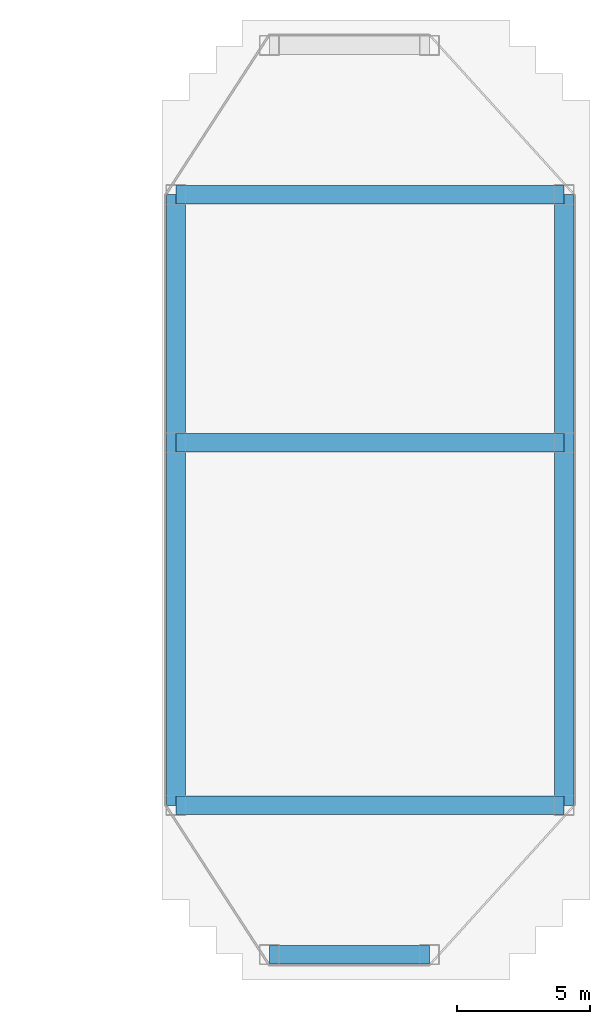
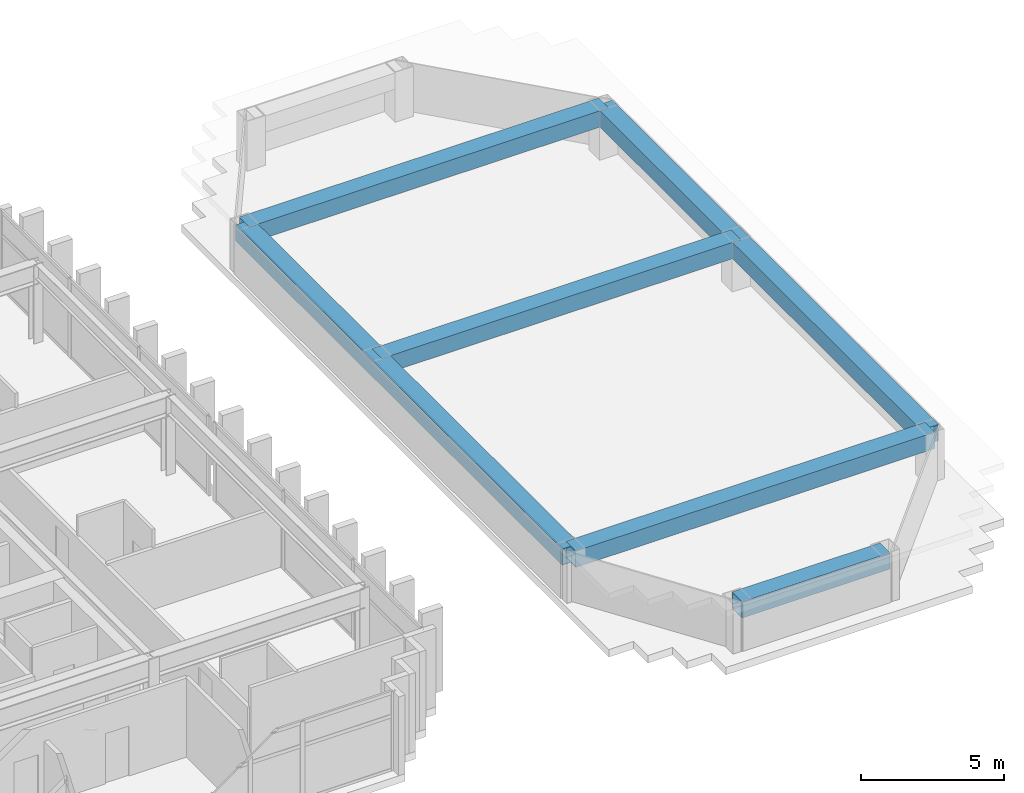
# One storey, part 10 of 17: 6 beams.
"""IFC4 building model written with IfcOpenShell, lengths in metres."""

from ifc_helpers import new_model, si_unit, direction, frame, origin, origin_2d, place, context, subcontext, project, spatial, hollow_rectangle, extrude, source, transform, mapped, material, material_profile, profile_set, type_object, element, save


model = new_model("IFC4")

# Units and contexts
model_context = context("Model", 3, precision=1e-05, world=origin(), true_north=direction((0.0, 1.0)))
body_context = subcontext(model_context, "Body", "Model", "MODEL_VIEW")
ifc_project = project(units=[si_unit("LENGTHUNIT", "METRE"), si_unit("AREAUNIT", "SQUARE_METRE"), si_unit("VOLUMEUNIT", "CUBIC_METRE"), si_unit("PLANEANGLEUNIT", "RADIAN"), si_unit("MASSUNIT", "GRAM", prefix="KILO")], contexts=[model_context])

# Site, building, storey
site_placement = place(None, origin())
site = spatial("IfcSite", under=ifc_project, at=site_placement, CompositionType="ELEMENT")
building_placement = place(site_placement, origin())
building = spatial("IfcBuilding", under=site, at=building_placement, Name="Ocotamira Hotel", CompositionType="ELEMENT")
storey_placement = place(building_placement, frame((0.0, 0.0, 272.39990234375)))
storey = spatial("IfcBuildingStorey", under=building, at=storey_placement, Name="L69", CompositionType="ELEMENT", Elevation=272.39990234375)

# Beams
ifc_material = material(Name="Pale-metal coated steel ASTM A913 Grade 65", Category="steel")
ifc_material_profile = material_profile(ifc_material, hollow_rectangle(XDim=0.699951171875, YDim=0.699951171875, WallThickness=0.02490234375, at=origin_2d()), Name="BOX700X700X25")
ifc_profile_set = profile_set([ifc_material_profile], Name="Pale-metal coated steel ASTM A913 Grade 65")
beam_type = type_object("IfcBeamType", Name="BM-CROWN-RING", PredefinedType="USERDEFINED", material=ifc_profile_set)
shared_shape_1 = source(origin(), body_context, "Body", "SweptSolid", [
    extrude(hollow_rectangle(XDim=0.699951171875, YDim=0.699951171875, WallThickness=0.02490234375, at=origin_2d()), origin(), (0.0, 0.0, 1.0), 22.89990234375),
])
for number, where, z_axis, x_axis, name in (
    (1, (40.5, 14.550048828125, 1.75), (0.0, 1.0, 0.0), (-1.0, 0.0, 0.0), "EAST CROWN RING BEAM 01"),
    (2, (55.050048828125, 14.550048828125, 1.75), (0.0, 1.0, 0.0), (-1.0, 0.0, 0.0), "EAST CROWN RING BEAM 02"),
):
    element("IfcBeam", number, at=place(storey_placement, frame(where, z_axis=z_axis, x_axis=x_axis)), inside=storey, type_object=beam_type, Name=name, ObjectType="CROWN FRAME", PredefinedType="USERDEFINED", context=body_context, shape_type="MappedRepresentation", body=[
        mapped(shared_shape_1, transform((0.0, 0.0, 0.0), scale=1.0)),
    ])
shared_shape_2 = source(origin(), body_context, "Body", "SweptSolid", [
    extrude(hollow_rectangle(XDim=0.699951171875, YDim=0.699951171875, WallThickness=0.02490234375, at=origin_2d()), origin(), (0.0, 0.0, 1.0), 6.0),
])
beam_placement = place(storey_placement, frame((44.0, 8.949951171875, 1.75), z_axis=(1.0, 0.0, 0.0), x_axis=(0.0, 1.0, 0.0)))
element("IfcBeam", 3, at=beam_placement, inside=storey, type_object=beam_type, Name="EAST CROWN RING BEAM 06", ObjectType="CROWN FRAME", PredefinedType="USERDEFINED", context=body_context, shape_type="MappedRepresentation", body=[
    mapped(shared_shape_2, transform((0.0, 0.0, 0.0), scale=1.0)),
])
shared_shape_3 = source(origin(), body_context, "Body", "SweptSolid", [
    extrude(hollow_rectangle(XDim=0.699951171875, YDim=0.699951171875, WallThickness=0.02490234375, at=origin_2d()), origin(), (0.0, 0.0, 1.0), 14.550048828125),
])
for number, where, z_axis, x_axis, name in (
    (4, (40.5, 14.550048828125, 1.75), (1.0, 0.0, 0.0), (0.0, 1.0, 0.0), "EAST CROWN RING BEAM 03"),
    (5, (40.5, 37.449951171875, 1.75), (1.0, 0.0, 0.0), (0.0, 1.0, 0.0), "EAST CROWN RING BEAM 04"),
    (6, (40.5, 28.14990234375, 1.75), (1.0, 0.0, 0.0), (0.0, 1.0, 0.0), "EAST CROWN RING BEAM 05"),
):
    element("IfcBeam", number, at=place(storey_placement, frame(where, z_axis=z_axis, x_axis=x_axis)), inside=storey, type_object=beam_type, Name=name, ObjectType="CROWN FRAME", PredefinedType="USERDEFINED", context=body_context, shape_type="MappedRepresentation", body=[
        mapped(shared_shape_3, transform((0.0, 0.0, 0.0), scale=1.0)),
    ])

save(model, "model.ifc")
